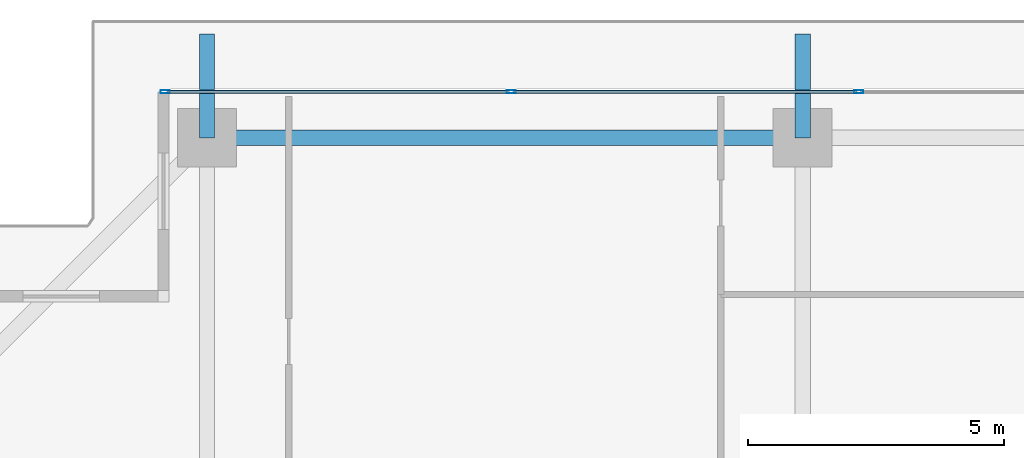
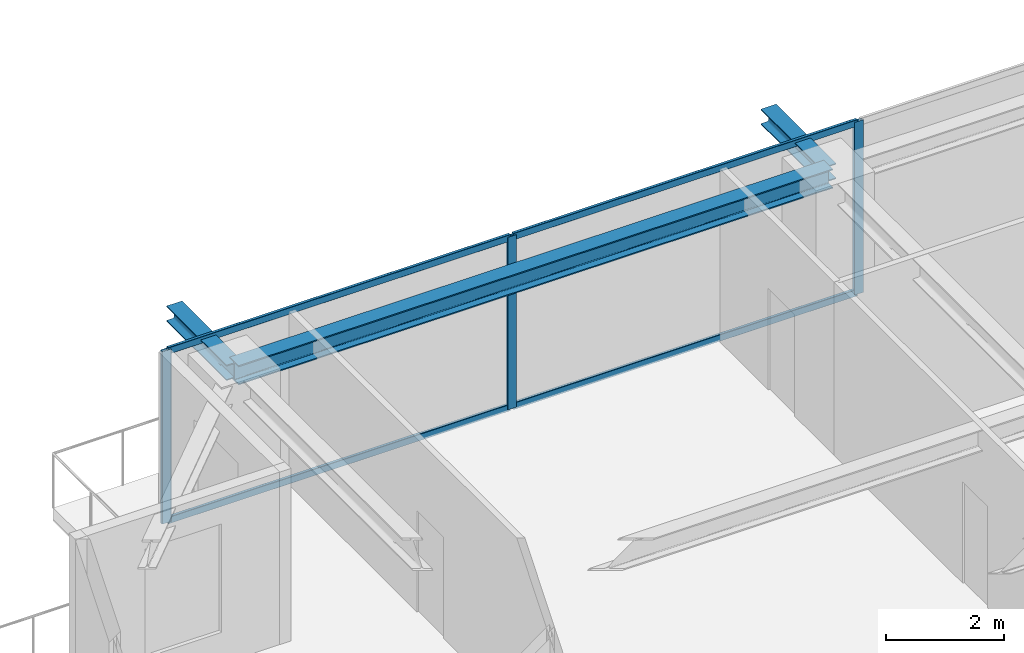
# One storey, part 18 of 35: 7 members, 3 beams, 1 element without a shape of its own.
"""IFC4 building model written with IfcOpenShell, lengths in metres."""

from ifc_helpers import new_model, si_unit, direction, frame, origin, origin_2d, place, context, subcontext, project, spatial, hollow_rectangle, i_section, extrude, source, transform, mapped, material, layer, layer_set, material_profile, profile_set, type_object, element, aggregate, save


model = new_model("IFC4")

# Units and contexts
model_context = context("Model", 3, precision=1e-05, world=origin(), true_north=direction((0.0, 1.0)))
body_context = subcontext(model_context, "Body", "Model", "MODEL_VIEW")
ifc_project = project(units=[si_unit("LENGTHUNIT", "METRE"), si_unit("AREAUNIT", "SQUARE_METRE"), si_unit("VOLUMEUNIT", "CUBIC_METRE"), si_unit("PLANEANGLEUNIT", "RADIAN"), si_unit("MASSUNIT", "GRAM", prefix="KILO")], contexts=[model_context])

# Site, building, storey
site_placement = place(None, origin())
site = spatial("IfcSite", under=ifc_project, at=site_placement, CompositionType="ELEMENT")
building_placement = place(site_placement, origin())
building = spatial("IfcBuilding", under=site, at=building_placement, Name="Serunith Strait Residences", CompositionType="ELEMENT")
storey_placement = place(building_placement, frame((0.0, 0.0, 214.300048828125)))
storey = spatial("IfcBuildingStorey", under=building, at=storey_placement, Name="L53", CompositionType="ELEMENT", Elevation=214.300048828125)

# Beams
ifc_material_1 = material(Name="Steel S355J2", Category="steel")
ifc_material_profile_1 = material_profile(ifc_material_1, i_section(OverallWidth=0.300048828125, OverallDepth=0.39990234375, WebThickness=0.013427734375, FlangeThickness=0.02392578125, FilletRadius=0.027099609375, at=origin_2d()), Name="HEB 400")
ifc_profile_set_1 = profile_set([ifc_material_profile_1], Name="Steel S355J2")
beam_type_1 = type_object("IfcBeamType", Name="BM-HEB400", PredefinedType="BEAM", material=ifc_profile_set_1)
shared_shape_1 = source(origin(), body_context, "Body", "SweptSolid", [
    extrude(i_section(OverallWidth=0.300048828125, OverallDepth=0.39990234375, WebThickness=0.013427734375, FlangeThickness=0.02392578125, FilletRadius=0.027099609375, at=origin_2d()), origin(), (0.0, 0.0, 1.0), 11.64990234375),
])
beam_placement = place(storey_placement, frame((27.89990234375, 48.300048828125, 3.386962890625), z_axis=(-1.0, 0.0, 0.0), x_axis=(0.0, -1.0, 0.0)))
element("IfcBeam", 1, at=beam_placement, inside=storey, type_object=beam_type_1, Name="L53 Perimeter Ring Beam 11", PredefinedType="BEAM", context=body_context, shape_type="MappedRepresentation", body=[
    mapped(shared_shape_1, transform((0.0, 0.0, 0.0), scale=1.0)),
])
ifc_material_profile_2 = material_profile(ifc_material_1, i_section(OverallWidth=0.300048828125, OverallDepth=0.320068359375, WebThickness=0.011474609375, FlangeThickness=0.0205078125, FilletRadius=0.027099609375, at=origin_2d()), Name="HEB 320")
ifc_profile_set_2 = profile_set([ifc_material_profile_2], Name="Steel S355J2")
beam_type_2 = type_object("IfcBeamType", Name="BM-HEB320", PredefinedType="BEAM", material=ifc_profile_set_2)
shared_shape_2 = source(origin(), body_context, "Body", "SweptSolid", [
    extrude(i_section(OverallWidth=0.300048828125, OverallDepth=0.320068359375, WebThickness=0.011474609375, FlangeThickness=0.0205078125, FilletRadius=0.027099609375, at=origin_2d()), origin(), (0.0, 0.0, 1.0), 2.030029296875),
])
for number, where, z_axis, x_axis, name in (
    (2, (16.25, 48.300048828125, 3.39697265625), (0.0, 1.0, 0.0), (-1.0, 0.0, 0.0), "L54 Cantilevered Balcony Rib TC-N1"),
    (3, (27.89990234375, 48.300048828125, 3.39697265625), (0.0, 1.0, 0.0), (-1.0, 0.0, 0.0), "L54 Cantilevered Balcony Rib TC-N2"),
):
    element("IfcBeam", number, at=place(storey_placement, frame(where, z_axis=z_axis, x_axis=x_axis)), inside=storey, type_object=beam_type_2, Name=name, PredefinedType="BEAM", context=body_context, shape_type="MappedRepresentation", body=[
        mapped(shared_shape_2, transform((0.0, 0.0, 0.0), scale=1.0)),
    ])

# Curtain wall, members
ifc_material_2 = material(Name="Pale-Champagne Anodised Aluminium", Category="aluminium")
ifc_layer = layer(ifc_material_2, 0.199951171875, Name="Pale-Champagne Anodised Aluminium")
ifc_layer_set = layer_set([ifc_layer], Name="Pale-Champagne Anodised Aluminium")
curtain_wall_type = type_object("IfcCurtainWallType", Name="CW-SYS4", PredefinedType="NOTDEFINED", material=ifc_layer_set)
curtain_wall_placement = place(storey_placement, origin())
curtain_wall = element("IfcCurtainWall", 4, at=curtain_wall_placement, inside=storey, type_object=curtain_wall_type, Name="L53 N Unitised Fritted Curtain Wall", PredefinedType="NOTDEFINED")
ifc_material_profile_3 = material_profile(ifc_material_2, hollow_rectangle(XDim=0.06494140625, YDim=0.179931640625, WallThickness=0.00341796875, InnerFilletRadius=0.00537109375, OuterFilletRadius=0.0087890625, at=origin_2d()), Name="ALU 180x65x3.5")
ifc_profile_set_3 = profile_set([ifc_material_profile_3], Name="Pale-Champagne Anodised Aluminium")
member_type_1 = type_object("IfcMemberType", Name="CW-SYS4-MULL", PredefinedType="MULLION", material=ifc_profile_set_3)
shared_shape_3 = source(origin(), body_context, "Body", "SweptSolid", [
    extrude(hollow_rectangle(XDim=0.06494140625, YDim=0.179931640625, WallThickness=0.00341796875, InnerFilletRadius=0.00537109375, OuterFilletRadius=0.0087890625, at=origin_2d()), origin(), (0.0, 0.0, 1.0), 3.574951171875),
])
member_1_placement = place(storey_placement, frame((29.0, 49.199951171875, 0.0), z_axis=(0.0, 0.0, 1.0), x_axis=(0.0, -1.0, 0.0)))
member_1 = element("IfcMember", 5, at=member_1_placement, type_object=member_type_1, Name="CW-4 mullion 4", PredefinedType="MULLION", context=body_context, shape_type="MappedRepresentation", body=[
    mapped(shared_shape_3, transform((0.0, 0.0, 0.0), scale=1.0)),
])
member_2_placement = place(storey_placement, frame((22.199951171875, 49.199951171875, 0.0), z_axis=(0.0, 0.0, 1.0), x_axis=(0.0, -1.0, 0.0)))
member_2 = element("IfcMember", 6, at=member_2_placement, type_object=member_type_1, Name="CW-4 mullion 5", PredefinedType="MULLION", context=body_context, shape_type="MappedRepresentation", body=[
    mapped(shared_shape_3, transform((0.0, 0.0, 0.0), scale=1.0)),
])
member_3_placement = place(storey_placement, frame((15.4326171875, 49.199951171875, 0.0), z_axis=(0.0, 0.0, 1.0), x_axis=(0.0, -1.0, 0.0)))
member_3 = element("IfcMember", 7, at=member_3_placement, type_object=member_type_1, Name="CW-4 mullion 6", PredefinedType="MULLION", context=body_context, shape_type="MappedRepresentation", body=[
    mapped(shared_shape_3, transform((0.0, 0.0, 0.0), scale=1.0)),
])
ifc_material_profile_4 = material_profile(ifc_material_2, hollow_rectangle(XDim=0.06005859375, YDim=0.139892578125, WallThickness=0.00341796875, InnerFilletRadius=0.00537109375, OuterFilletRadius=0.0087890625, at=origin_2d()), Name="ALU 140x60x3.5")
ifc_profile_set_4 = profile_set([ifc_material_profile_4], Name="Pale-Champagne Anodised Aluminium")
member_type_2 = type_object("IfcMemberType", Name="CW-SYS4-TRAN", PredefinedType="USERDEFINED", material=ifc_profile_set_4)
shared_shape_4 = source(origin(), body_context, "Body", "SweptSolid", [
    extrude(hollow_rectangle(XDim=0.06005859375, YDim=0.139892578125, WallThickness=0.00341796875, InnerFilletRadius=0.00537109375, OuterFilletRadius=0.0087890625, at=origin_2d()), origin(), (0.0, 0.0, 1.0), 6.702392578125),
])
member_4_placement = place(storey_placement, frame((22.16748046875, 49.199951171875, 0.030029296875), z_axis=(-1.0, 0.0, 0.0), x_axis=(0.0, -1.0, 0.0)))
member_4 = element("IfcMember", 8, at=member_4_placement, type_object=member_type_2, Name="CW-4 transom 5.1", ObjectType="TRANSOM", PredefinedType="USERDEFINED", context=body_context, shape_type="MappedRepresentation", body=[
    mapped(shared_shape_4, transform((0.0, 0.0, 0.0), scale=1.0)),
])
member_5_placement = place(storey_placement, frame((22.16748046875, 49.199951171875, 3.544921875), z_axis=(-1.0, 0.0, 0.0), x_axis=(0.0, -1.0, 0.0)))
member_5 = element("IfcMember", 9, at=member_5_placement, type_object=member_type_2, Name="CW-4 transom 5.2", ObjectType="TRANSOM", PredefinedType="USERDEFINED", context=body_context, shape_type="MappedRepresentation", body=[
    mapped(shared_shape_4, transform((0.0, 0.0, 0.0), scale=1.0)),
])
shared_shape_5 = source(origin(), body_context, "Body", "SweptSolid", [
    extrude(hollow_rectangle(XDim=0.06005859375, YDim=0.139892578125, WallThickness=0.00341796875, InnerFilletRadius=0.00537109375, OuterFilletRadius=0.0087890625, at=origin_2d()), origin(), (0.0, 0.0, 1.0), 6.735107421875),
])
member_6_placement = place(storey_placement, frame((28.967529296875, 49.199951171875, 0.030029296875), z_axis=(-1.0, 0.0, 0.0), x_axis=(0.0, -1.0, 0.0)))
member_6 = element("IfcMember", 10, at=member_6_placement, type_object=member_type_2, Name="CW-4 transom 4.1", ObjectType="TRANSOM", PredefinedType="USERDEFINED", context=body_context, shape_type="MappedRepresentation", body=[
    mapped(shared_shape_5, transform((0.0, 0.0, 0.0), scale=1.0)),
])
member_7_placement = place(storey_placement, frame((28.967529296875, 49.199951171875, 3.544921875), z_axis=(-1.0, 0.0, 0.0), x_axis=(0.0, -1.0, 0.0)))
member_7 = element("IfcMember", 11, at=member_7_placement, type_object=member_type_2, Name="CW-4 transom 4.2", ObjectType="TRANSOM", PredefinedType="USERDEFINED", context=body_context, shape_type="MappedRepresentation", body=[
    mapped(shared_shape_5, transform((0.0, 0.0, 0.0), scale=1.0)),
])
aggregate(curtain_wall, [member_1, member_2, member_3, member_6, member_7, member_4, member_5])

save(model, "model.ifc")
